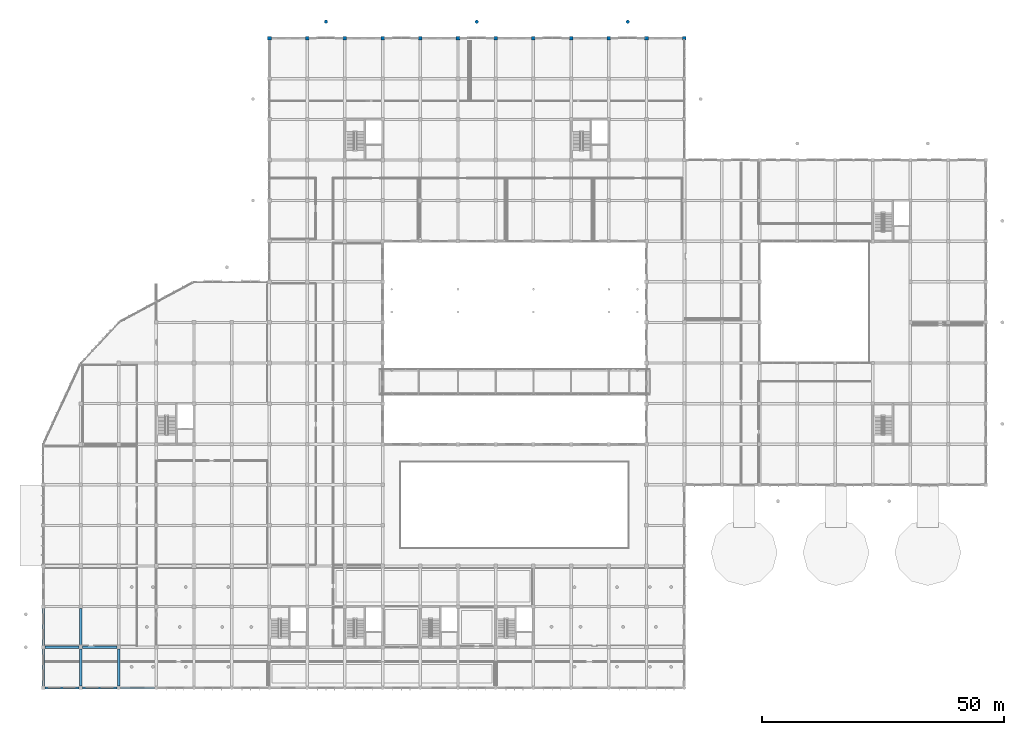
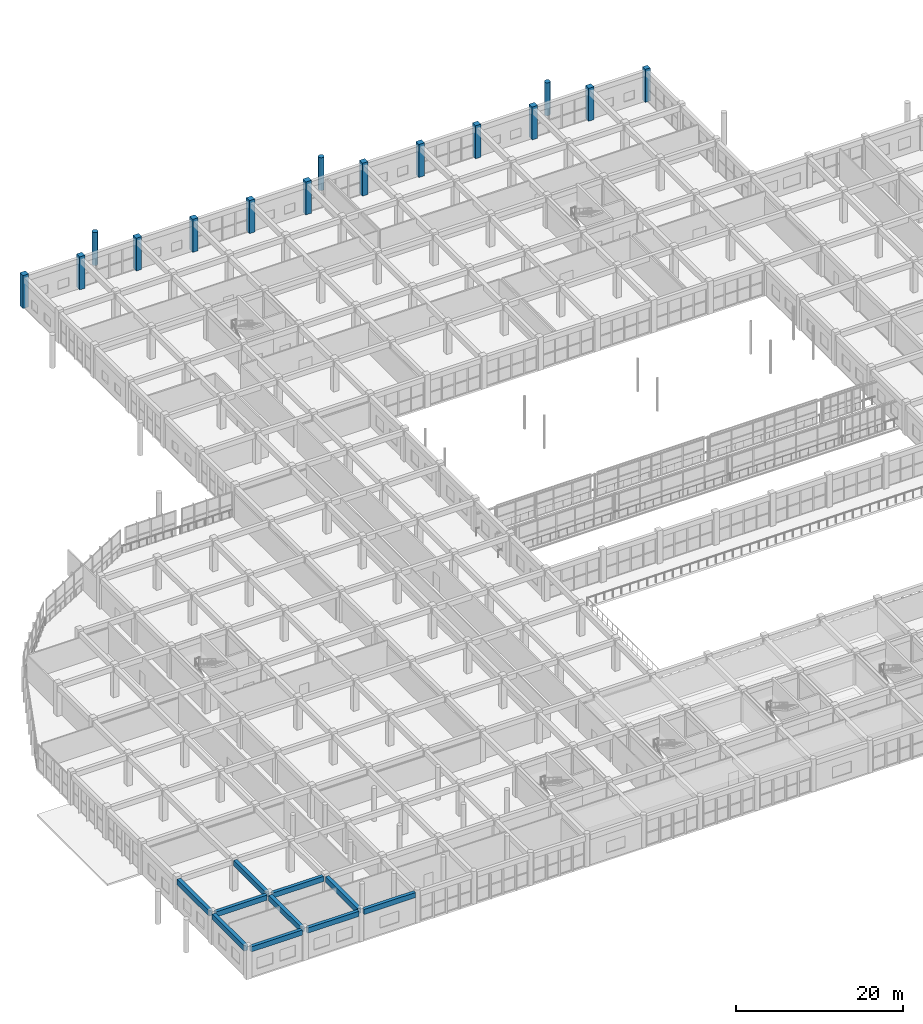
# One storey, part 9 of 175: 15 columns, 10 beams.
"""IFC4 building model written with IfcOpenShell, lengths in metres."""

from ifc_helpers import new_model, si_unit, direction, frame, origin, origin_2d, place, context, subcontext, project, spatial, rectangle, circle, extrude, material, material_profile, profile_set, type_object, element, save


model = new_model("IFC4")

# Units and contexts
model_context = context("Model", 3, precision=1e-05, world=origin(), true_north=direction((0.0, 1.0)))
body_context = subcontext(model_context, "Body", "Model", "MODEL_VIEW")
ifc_project = project(units=[si_unit("LENGTHUNIT", "METRE"), si_unit("AREAUNIT", "SQUARE_METRE"), si_unit("VOLUMEUNIT", "CUBIC_METRE"), si_unit("PLANEANGLEUNIT", "RADIAN"), si_unit("MASSUNIT", "GRAM", prefix="KILO")], contexts=[model_context])

# Site, building, storey
site_placement = place(None, origin())
site = spatial("IfcSite", under=ifc_project, at=site_placement, CompositionType="ELEMENT")
building_placement = place(site_placement, origin())
building = spatial("IfcBuilding", under=site, at=building_placement, Name="Zizhar Promenade General Hospital", CompositionType="ELEMENT")
storey_placement = place(building_placement, frame((0.0, 0.0, 4.800048828125)))
storey = spatial("IfcBuildingStorey", under=building, at=storey_placement, Name="L01", CompositionType="ELEMENT", Elevation=4.800048828125)

# Columns
ifc_material_1 = material(Name="Concrete C40/50", Category="concrete")
ifc_material_profile_1 = material_profile(ifc_material_1, circle(Radius=0.35009765625, at=origin_2d()))
ifc_profile_set_1 = profile_set([ifc_material_profile_1], Name="Concrete C40/50")
column_type_1 = type_object("IfcColumnType", Name="COL-CIRC-700", PredefinedType="PILASTER", material=ifc_profile_set_1)
for number, where, z_axis, x_axis, name in (
    (1, (58.5, 137.800048828125, 0.0), (0.0, 0.0, 1.0), (1.0, 0.0, 0.0), "Base Roof Colonnade Column 06 (L01)"),
    (2, (89.699951171875, 137.800048828125, 0.0), (0.0, 0.0, 1.0), (1.0, 0.0, 0.0), "Base Roof Colonnade Column 07 (L01)"),
    (3, (120.89990234375, 137.800048828125, 0.0), (0.0, 0.0, 1.0), (1.0, 0.0, 0.0), "Base Roof Colonnade Column 08 (L01)"),
):
    element("IfcColumn", number, at=place(storey_placement, frame(where, z_axis=z_axis, x_axis=x_axis)), inside=storey, type_object=column_type_1, Name=name, PredefinedType="PILASTER", context=body_context, shape_type="SweptSolid", body=[
        extrude(circle(Radius=0.35009765625, at=origin_2d()), origin(), (0.0, 0.0, 1.0), 4.800048828125),
    ])
ifc_material_2 = material(Name="Concrete C40/50", Category="concrete")
ifc_material_profile_2 = material_profile(ifc_material_2, rectangle(XDim=0.679931640625, YDim=0.679931640625, at=origin_2d()))
ifc_profile_set_2 = profile_set([ifc_material_profile_2], Name="Concrete C40/50")
column_type_2 = type_object("IfcColumnType", Name="COL-RC-680", PredefinedType="COLUMN", material=ifc_profile_set_2)
column_placement = place(storey_placement, frame((132.60009765625, 134.39990234375, 0.0), z_axis=(0.0, 0.0, 1.0), x_axis=(1.0, 0.0, 0.0)))
element("IfcColumn", 4, at=column_placement, inside=storey, type_object=column_type_2, Name="Column 18-S (L01)", PredefinedType="COLUMN", context=body_context, shape_type="SweptSolid", body=[
    extrude(rectangle(XDim=0.679931640625, YDim=0.679931640625, at=origin_2d()), origin(), (0.0, 0.0, 1.0), 4.800048828125),
])
ifc_material_3 = material(Name="Concrete C40/50", Category="concrete")
ifc_material_profile_3 = material_profile(ifc_material_3, rectangle(XDim=0.75, YDim=0.75, at=origin_2d()))
ifc_profile_set_3 = profile_set([ifc_material_profile_3], Name="Concrete C40/50")
column_type_3 = type_object("IfcColumnType", Name="COL-RC-750", PredefinedType="COLUMN", material=ifc_profile_set_3)
for number, where, z_axis, x_axis, name in (
    (5, (46.800048828125, 134.39990234375, 0.0), (0.0, 0.0, 1.0), (1.0, 0.0, 0.0), "Column 7-S (L01)"),
    (6, (54.60009765625, 134.39990234375, 0.0), (0.0, 0.0, 1.0), (1.0, 0.0, 0.0), "Column 8-S (L01)"),
    (7, (62.39990234375, 134.39990234375, 0.0), (0.0, 0.0, 1.0), (1.0, 0.0, 0.0), "Column 9-S (L01)"),
    (8, (70.199951171875, 134.39990234375, 0.0), (0.0, 0.0, 1.0), (1.0, 0.0, 0.0), "Column 10-S (L01)"),
    (9, (78.0, 134.39990234375, 0.0), (0.0, 0.0, 1.0), (1.0, 0.0, 0.0), "Column 11-S (L01)"),
    (10, (85.800048828125, 134.39990234375, 0.0), (0.0, 0.0, 1.0), (1.0, 0.0, 0.0), "Column 12-S (L01)"),
    (11, (93.60009765625, 134.39990234375, 0.0), (0.0, 0.0, 1.0), (1.0, 0.0, 0.0), "Column 13-S (L01)"),
    (12, (101.39990234375, 134.39990234375, 0.0), (0.0, 0.0, 1.0), (1.0, 0.0, 0.0), "Column 14-S (L01)"),
    (13, (109.199951171875, 134.39990234375, 0.0), (0.0, 0.0, 1.0), (1.0, 0.0, 0.0), "Column 15-S (L01)"),
    (14, (117.0, 134.39990234375, 0.0), (0.0, 0.0, 1.0), (1.0, 0.0, 0.0), "Column 16-S (L01)"),
    (15, (124.800048828125, 134.39990234375, 0.0), (0.0, 0.0, 1.0), (1.0, 0.0, 0.0), "Column 17-S (L01)"),
):
    element("IfcColumn", number, at=place(storey_placement, frame(where, z_axis=z_axis, x_axis=x_axis)), inside=storey, type_object=column_type_3, Name=name, PredefinedType="COLUMN", context=body_context, shape_type="SweptSolid", body=[
        extrude(rectangle(XDim=0.75, YDim=0.75, at=origin_2d()), origin(), (0.0, 0.0, 1.0), 4.800048828125),
    ])

# Beams
ifc_material_4 = material(Name="Concrete C35/45", Category="concrete")
ifc_material_profile_4 = material_profile(ifc_material_4, rectangle(XDim=0.449951171875, YDim=0.75, at=origin_2d()))
ifc_profile_set_4 = profile_set([ifc_material_profile_4], Name="Concrete C35/45")
beam_type_1 = type_object("IfcBeamType", Name="BM-RC-450x750", PredefinedType="BEAM", material=ifc_profile_set_4)
for number, where, z_axis, x_axis, name in (
    (16, (0.375, 0.0, 4.094970703125), (1.0, 0.0, 0.0), (0.0, 1.0, 0.0), "Grid Beam X L01 (0-0)"),
    (17, (0.375, 8.39990234375, 4.094970703125), (1.0, 0.0, 0.0), (0.0, 1.0, 0.0), "Grid Beam X L01 (0-1)"),
):
    element("IfcBeam", number, at=place(storey_placement, frame(where, z_axis=z_axis, x_axis=x_axis)), inside=storey, type_object=beam_type_1, Name=name, PredefinedType="BEAM", context=body_context, shape_type="SweptSolid", body=[
        extrude(rectangle(XDim=0.449951171875, YDim=0.75, at=origin_2d()), origin(), (0.0, 0.0, 1.0), 7.050048828125),
    ])
beam_1_placement = place(storey_placement, frame((8.175048828125, 0.0, 4.094970703125), z_axis=(1.0, 0.0, 0.0), x_axis=(0.0, 1.0, 0.0)))
element("IfcBeam", 18, at=beam_1_placement, inside=storey, type_object=beam_type_1, Name="Grid Beam X L01 (1-0)", PredefinedType="BEAM", context=body_context, shape_type="SweptSolid", body=[
    extrude(rectangle(XDim=0.449951171875, YDim=0.75, at=origin_2d()), origin(), (0.0, 0.0, 1.0), 7.074951171875),
])
beam_2_placement = place(storey_placement, frame((8.175048828125, 8.39990234375, 4.094970703125), z_axis=(1.0, 0.0, 0.0), x_axis=(0.0, 1.0, 0.0)))
element("IfcBeam", 19, at=beam_2_placement, inside=storey, type_object=beam_type_1, Name="Grid Beam X L01 (1-1)", PredefinedType="BEAM", context=body_context, shape_type="SweptSolid", body=[
    extrude(rectangle(XDim=0.449951171875, YDim=0.75, at=origin_2d()), origin(), (0.0, 0.0, 1.0), 7.050048828125),
])
beam_3_placement = place(storey_placement, frame((15.949951171875, 0.0, 4.094970703125), z_axis=(1.0, 0.0, 0.0), x_axis=(0.0, 1.0, 0.0)))
element("IfcBeam", 20, at=beam_3_placement, inside=storey, type_object=beam_type_1, Name="Grid Beam X L01 (2-0)", PredefinedType="BEAM", context=body_context, shape_type="SweptSolid", body=[
    extrude(rectangle(XDim=0.449951171875, YDim=0.75, at=origin_2d()), origin(), (0.0, 0.0, 1.0), 7.10009765625),
])
ifc_material_5 = material(Name="Concrete C35/45", Category="concrete")
ifc_material_profile_5 = material_profile(ifc_material_5, rectangle(XDim=0.5, YDim=0.800048828125, at=origin_2d()))
ifc_profile_set_5 = profile_set([ifc_material_profile_5], Name="Concrete C35/45")
beam_type_2 = type_object("IfcBeamType", Name="BM-RC-500x800", PredefinedType="BEAM", material=ifc_profile_set_5)
beam_4_placement = place(storey_placement, frame((0.0, 0.375, 4.070068359375), z_axis=(0.0, 1.0, 0.0), x_axis=(-1.0, 0.0, 0.0)))
element("IfcBeam", 21, at=beam_4_placement, inside=storey, type_object=beam_type_2, Name="Grid Beam Y L01 (0-0)", PredefinedType="BEAM", context=body_context, shape_type="SweptSolid", body=[
    extrude(rectangle(XDim=0.5, YDim=0.800048828125, at=origin_2d()), origin(), (0.0, 0.0, 1.0), 7.64990234375),
])
beam_5_placement = place(storey_placement, frame((0.0, 8.77490234375, 4.070068359375), z_axis=(0.0, 1.0, 0.0), x_axis=(-1.0, 0.0, 0.0)))
element("IfcBeam", 22, at=beam_5_placement, inside=storey, type_object=beam_type_2, Name="Grid Beam Y L01 (0-1)", PredefinedType="BEAM", context=body_context, shape_type="SweptSolid", body=[
    extrude(rectangle(XDim=0.5, YDim=0.800048828125, at=origin_2d()), origin(), (0.0, 0.0, 1.0), 7.650146484375),
])
beam_6_placement = place(storey_placement, frame((7.800048828125, 0.375, 4.070068359375), z_axis=(0.0, 1.0, 0.0), x_axis=(-1.0, 0.0, 0.0)))
element("IfcBeam", 23, at=beam_6_placement, inside=storey, type_object=beam_type_2, Name="Grid Beam Y L01 (1-0)", PredefinedType="BEAM", context=body_context, shape_type="SweptSolid", body=[
    extrude(rectangle(XDim=0.5, YDim=0.800048828125, at=origin_2d()), origin(), (0.0, 0.0, 1.0), 7.64990234375),
])
beam_7_placement = place(storey_placement, frame((7.800048828125, 8.77490234375, 4.070068359375), z_axis=(0.0, 1.0, 0.0), x_axis=(-1.0, 0.0, 0.0)))
element("IfcBeam", 24, at=beam_7_placement, inside=storey, type_object=beam_type_2, Name="Grid Beam Y L01 (1-1)", PredefinedType="BEAM", context=body_context, shape_type="SweptSolid", body=[
    extrude(rectangle(XDim=0.5, YDim=0.800048828125, at=origin_2d()), origin(), (0.0, 0.0, 1.0), 7.650146484375),
])
beam_8_placement = place(storey_placement, frame((15.60009765625, 0.35009765625, 4.070068359375), z_axis=(0.0, 1.0, 0.0), x_axis=(-1.0, 0.0, 0.0)))
element("IfcBeam", 25, at=beam_8_placement, inside=storey, type_object=beam_type_2, Name="Grid Beam Y L01 (2-0)", PredefinedType="BEAM", context=body_context, shape_type="SweptSolid", body=[
    extrude(rectangle(XDim=0.5, YDim=0.800048828125, at=origin_2d()), origin(), (0.0, 0.0, 1.0), 7.6748046875),
])

save(model, "model.ifc")
